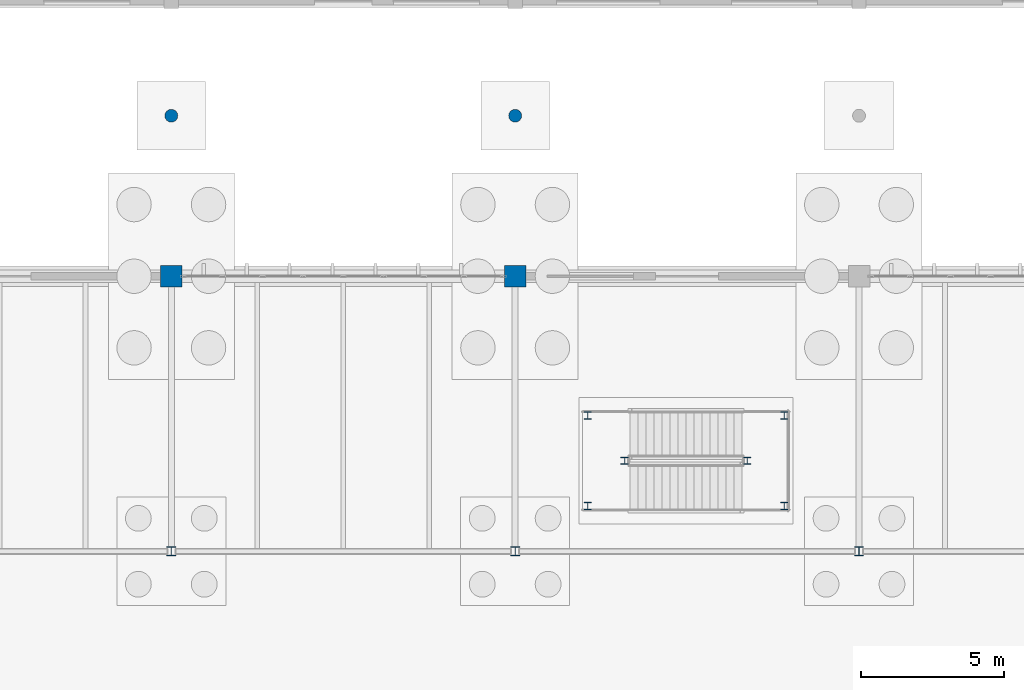
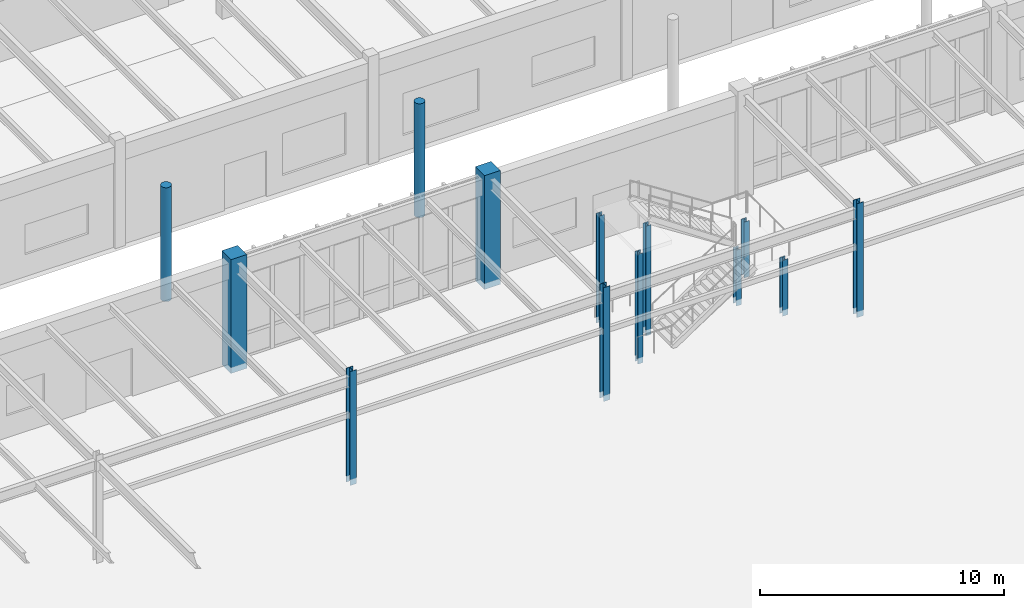
# One storey, part 14 of 188: 13 columns.
"""IFC4 building model written with IfcOpenShell, lengths in metres."""

import ifcopenshell
import ifcopenshell.guid

model = None  # the IFC model being written
_history = None  # IfcOwnerHistory: only IFC2X3 demands one
_inside = {}  # id of a spatial element -> (the spatial element, [elements in it])
_under = {}  # id of a project, library or spatial element -> (it, [spatial elements below it])
_declared = {}  # id of a project -> (the project, [libraries it declares])
_typed = {}  # id of a type object -> (the type object, [elements of that type])
_made_of = {}  # id of a material, layer set ... -> (it, [elements and type objects made of it])


def new_model(schema):
    """Start an empty IFC model of exactly this schema.

    Asked for "IFC4X3", IfcOpenShell would pick the latest addendum, in which some entities
    have other attributes; the version numbers below select the first issue.
    IFC2X3 requires an IfcOwnerHistory on every rooted entity: one is made here for all.
    """
    global model, _history
    if schema == "IFC4X3":
        model = ifcopenshell.file(schema_version=(4, 3, 0, 0))
    else:
        model = ifcopenshell.file(schema=schema)
    _inside.clear()
    _under.clear()
    _declared.clear()
    _typed.clear()
    _made_of.clear()
    _history = None
    if model.schema == "IFC2X3":
        org = make("IfcOrganization", Name="unknown")
        user = make(
            "IfcPersonAndOrganization",
            ThePerson=make("IfcPerson", FamilyName="unknown"),
            TheOrganization=org,
        )
        app = make(
            "IfcApplication",
            ApplicationDeveloper=org,
            Version="unknown",
            ApplicationFullName="unknown",
            ApplicationIdentifier="unknown",
        )
        _history = make(
            "IfcOwnerHistory",
            OwningUser=user,
            OwningApplication=app,
            ChangeAction="ADDED",
            CreationDate=0,
        )
    return model


def make(cls, **values):
    """One entity of the class cls with the attributes given. An attribute that is None is left unset."""
    return model.create_entity(
        cls, **{name: value for name, value in values.items() if value is not None}
    )


def rooted(cls, **values):
    """An entity with a GlobalId (a new one), such as an element, a storey or a relation."""
    return make(cls, GlobalId=ifcopenshell.guid.new(), OwnerHistory=_history, **values)


def si_unit(unit_type, name, prefix=None):
    """IfcSIUnit, for example si_unit("LENGTHUNIT", "METRE", prefix="MILLI")."""
    return make("IfcSIUnit", UnitType=unit_type, Prefix=prefix, Name=name)


def assignment(units):
    """IfcUnitAssignment: the units of a project."""
    return None if units is None else make("IfcUnitAssignment", Units=units)


def point(xyz):
    """IfcCartesianPoint."""
    return None if xyz is None else make("IfcCartesianPoint", Coordinates=xyz)


def direction(xyz):
    """IfcDirection."""
    return None if xyz is None else make("IfcDirection", DirectionRatios=xyz)


def frame(location, z_axis=None, x_axis=None):
    """IfcAxis2Placement3D, a coordinate frame: its origin and axes. An axis left out is left unset."""
    return make(
        "IfcAxis2Placement3D",
        Location=point(location),
        Axis=direction(z_axis),
        RefDirection=direction(x_axis),
    )


def frame_2d(location, x_axis=None):
    """IfcAxis2Placement2D, a coordinate frame in the plane: its origin and x axis."""
    return make(
        "IfcAxis2Placement2D", Location=point(location), RefDirection=direction(x_axis)
    )


def origin():
    """The frame at (0, 0, 0) with its axes left unset."""
    return frame((0.0, 0.0, 0.0))


def origin_2d():
    """The frame at (0, 0) in the plane with its x axis left unset."""
    return frame_2d((0.0, 0.0))


def place(relative_to, where):
    """IfcLocalPlacement: puts the frame where relative to a parent placement (None: the world)."""
    return make(
        "IfcLocalPlacement", PlacementRelTo=relative_to, RelativePlacement=where
    )


def context(
    kind, dimensions, precision=None, world=None, true_north=None, identifier=None
):
    """IfcGeometricRepresentationContext, for example the 3D "Model" context."""
    return make(
        "IfcGeometricRepresentationContext",
        ContextIdentifier=identifier,
        ContextType=kind,
        CoordinateSpaceDimension=dimensions,
        Precision=precision,
        WorldCoordinateSystem=world,
        TrueNorth=true_north,
    )


def subcontext(parent, identifier, kind, view, scale=None):
    """IfcGeometricRepresentationSubContext, for example "Body" below "Model"."""
    return make(
        "IfcGeometricRepresentationSubContext",
        ContextIdentifier=identifier,
        ContextType=kind,
        ParentContext=parent,
        TargetScale=scale,
        TargetView=view,
    )


def project(units=None, contexts=None):
    """IfcProject with its units and contexts."""
    return rooted(
        "IfcProject",
        Name="project",
        RepresentationContexts=contexts,
        UnitsInContext=assignment(units),
    )


def spatial(cls, under=None, at=None, **own):
    """A site, building, storey or space (cls), placed at a placement, below another one or the project."""
    s = rooted(cls, ObjectPlacement=at, **own)
    if under is not None:
        _under.setdefault(under.id(), (under, []))[1].append(s)
    return s


def profile(cls, at=None, kind="AREA", **sizes):
    """A parametric profile (cls). Its sizes go by their IFC names, for example OverallWidth=200.0."""
    return make(cls, ProfileType=kind, Position=at, **sizes)


def rectangle(**sizes):
    """IfcRectangleProfileDef."""
    return profile("IfcRectangleProfileDef", **sizes)


def circle(**sizes):
    """IfcCircleProfileDef."""
    return profile("IfcCircleProfileDef", **sizes)


def i_section(**sizes):
    """IfcIShapeProfileDef."""
    return profile("IfcIShapeProfileDef", **sizes)


def extrude(swept, where, along, depth):
    """IfcExtrudedAreaSolid: the profile swept, set in the frame where, extruded along a direction by depth."""
    return make(
        "IfcExtrudedAreaSolid",
        SweptArea=swept,
        Position=where,
        ExtrudedDirection=direction(along),
        Depth=depth,
    )


def shape(context_of_items, identifier, shape_type, items):
    """IfcShapeRepresentation: the items that make up one representation, for example the "Body"."""
    return make(
        "IfcShapeRepresentation",
        ContextOfItems=context_of_items,
        RepresentationIdentifier=identifier,
        RepresentationType=shape_type,
        Items=items,
    )


def material(Name=None, Category=None):
    """IfcMaterial."""
    return make("IfcMaterial", Name=Name, Category=Category)


def material_profile(
    of_material, cross_section, Name=None, Category=None, Priority=None
):
    """IfcMaterialProfile: a cross section and its material."""
    return make(
        "IfcMaterialProfile",
        Name=Name,
        Material=of_material,
        Profile=cross_section,
        Priority=Priority,
        Category=Category,
    )


def profile_set(profiles, Name=None, composite=None):
    """IfcMaterialProfileSet."""
    return make(
        "IfcMaterialProfileSet",
        Name=Name,
        MaterialProfiles=profiles,
        CompositeProfile=composite,
    )


def made_of(thing, what):
    """Note that an element or type object is made of a material, layer set ...; save() writes the relation."""
    if what is not None:
        _made_of.setdefault(what.id(), (what, []))[1].append(thing)
    return thing


def type_object(cls, material=None, **own):
    """A type object (cls), such as IfcWallType, which elements share."""
    return made_of(rooted(cls, **own), material)


def element(
    cls,
    number,
    at=None,
    inside=None,
    cuts=None,
    type_object=None,
    material=None,
    context=None,
    identifier="Body",
    shape_type=None,
    held_by="IfcProductDefinitionShape",
    body=None,
    shapes=None,
    **own,
):
    """One element of the class cls, such as IfcWall. Its Tag is "e" and its number.

    at: its placement. inside: the storey or other place that contains it. cuts: it is an
    opening in that element (IfcRelVoidsElement). A single representation is given by context,
    identifier, shape_type and body (its items); several are given by shapes. held_by: the class
    of the entity that holds the representations. save() writes the other relations.
    """
    e = rooted(cls, Tag="e%d" % number, ObjectPlacement=at, **own)
    if body is not None:
        shapes = [shape(context, identifier, shape_type, body)]
    if shapes is not None:
        e.Representation = make(held_by, Representations=shapes)
    if inside is not None:
        _inside.setdefault(inside.id(), (inside, []))[1].append(e)
    if cuts is not None:
        rooted(
            "IfcRelVoidsElement", RelatingBuildingElement=cuts, RelatedOpeningElement=e
        )
    if type_object is not None:
        _typed.setdefault(type_object.id(), (type_object, []))[1].append(e)
    return made_of(e, material)


def aggregate(whole, parts):
    """IfcRelAggregates: a whole, such as a stair, and the parts it consists of."""
    return rooted("IfcRelAggregates", RelatingObject=whole, RelatedObjects=parts)


def save(model, path):
    """Write the relations noted so far, then the file.

    IfcRelAggregates (storeys below a building ...), IfcRelContainedInSpatialStructure (elements
    in a storey), IfcRelDefinesByType, IfcRelAssociatesMaterial and IfcRelDeclares: one each for
    every whole, place, type object, material and project.
    """
    for whole, parts in _under.values():
        aggregate(whole, parts)
    for where, things in _inside.values():
        rooted(
            "IfcRelContainedInSpatialStructure",
            RelatedElements=things,
            RelatingStructure=where,
        )
    for kind, things in _typed.values():
        rooted("IfcRelDefinesByType", RelatedObjects=things, RelatingType=kind)
    for what, things in _made_of.values():
        rooted("IfcRelAssociatesMaterial", RelatedObjects=things, RelatingMaterial=what)
    for by, libraries in _declared.values():
        rooted("IfcRelDeclares", RelatingContext=by, RelatedDefinitions=libraries)
    model.write(path)


model = new_model("IFC4")

# Units and contexts
model_context = context("Model", 3, precision=1e-05, world=origin(), true_north=direction((0.0, 1.0)))
body_context = subcontext(model_context, "Body", "Model", "MODEL_VIEW")
ifc_project = project(units=[si_unit("LENGTHUNIT", "METRE"), si_unit("AREAUNIT", "SQUARE_METRE"), si_unit("VOLUMEUNIT", "CUBIC_METRE"), si_unit("PLANEANGLEUNIT", "RADIAN"), si_unit("MASSUNIT", "GRAM", prefix="KILO")], contexts=[model_context])

# Site, building, storey
site_placement = place(None, origin())
site = spatial("IfcSite", under=ifc_project, at=site_placement, CompositionType="ELEMENT")
building_placement = place(site_placement, origin())
building = spatial("IfcBuilding", under=site, at=building_placement, Name="Pandanus Reach Market Hall", CompositionType="ELEMENT")
storey_placement = place(building_placement, origin())
storey = spatial("IfcBuildingStorey", under=building, at=storey_placement, Name="L00", CompositionType="ELEMENT", Elevation=0.0)

# Columns
ifc_material_1 = material(Name="Concrete N50 (50 MPa)", Category="concrete")
ifc_material_profile_1 = material_profile(ifc_material_1, rectangle(XDim=0.75, YDim=0.75, at=origin_2d()), Name="RC750x750", Category="LoadBearing")
ifc_profile_set_1 = profile_set([ifc_material_profile_1], Name="Concrete N50 (50 MPa)")
column_type_1 = type_object("IfcColumnType", Name="CL-RC750-E", PredefinedType="COLUMN", material=ifc_profile_set_1)
for number, where, z_axis, x_axis, name in (
    (1, (72.0, 86.39990234375, -0.300048828125), (0.0, 0.0, 1.0), (1.0, 0.0, 0.0), "Column CL-RC750-E V1A-72-864 L00"),
    (2, (84.0, 86.39990234375, -0.300048828125), (0.0, 0.0, 1.0), (1.0, 0.0, 0.0), "Column CL-RC750-E V1A-84-864 L00"),
):
    element("IfcColumn", number, at=place(storey_placement, frame(where, z_axis=z_axis, x_axis=x_axis)), inside=storey, type_object=column_type_1, Name=name, PredefinedType="COLUMN", context=body_context, shape_type="SweptSolid", body=[
        extrude(rectangle(XDim=0.75, YDim=0.75, at=origin_2d()), origin(), (0.0, 0.0, 1.0), 5.699951171875),
    ])
ifc_material_2 = material(Name="Steel Grade 350 (350 MPa)", Category="steel")
ifc_material_profile_2 = material_profile(ifc_material_2, i_section(OverallWidth=0.25390625, OverallDepth=0.25390625, WebThickness=0.008544921875, FlangeThickness=0.01416015625, at=origin_2d()), Name="250UC72.9", Category="LoadBearing")
ifc_profile_set_2 = profile_set([ifc_material_profile_2], Name="Steel Grade 350 (350 MPa)")
column_type_2 = type_object("IfcColumnType", Name="CL-UC250-I", PredefinedType="COLUMN", material=ifc_profile_set_2)
for number, where, z_axis, x_axis, name in (
    (3, (93.389892578125, 78.3798828125, -0.300048828125), (0.0, 0.0, 1.0), (1.0, 0.0, 0.0), "Feature stair landing post ST-09.L00.1"),
    (4, (93.389892578125, 81.5400390625, -0.300048828125), (0.0, 0.0, 1.0), (1.0, 0.0, 0.0), "Feature stair landing post ST-09.L00.2"),
    (5, (92.10009765625, 79.9599609375, -0.300048828125), (0.0, 0.0, 1.0), (1.0, 0.0, 0.0), "Feature stair landing post ST-09.L00.3"),
):
    element("IfcColumn", number, at=place(storey_placement, frame(where, z_axis=z_axis, x_axis=x_axis)), inside=storey, type_object=column_type_2, Name=name, PredefinedType="COLUMN", context=body_context, shape_type="SweptSolid", body=[
        extrude(i_section(OverallWidth=0.25390625, OverallDepth=0.25390625, WebThickness=0.008544921875, FlangeThickness=0.01416015625, at=origin_2d()), origin(), (0.0, 0.0, 1.0), 2.800048828125),
    ])
for number, where, z_axis, x_axis, name in (
    (6, (86.530029296875, 78.3798828125, -0.300048828125), (0.0, 0.0, 1.0), (1.0, 0.0, 0.0), "Feature stair landing post ST-09.L00.4"),
    (7, (86.530029296875, 81.5400390625, -0.300048828125), (0.0, 0.0, 1.0), (1.0, 0.0, 0.0), "Feature stair landing post ST-09.L00.5"),
    (8, (87.820068359375, 79.9599609375, -0.300048828125), (0.0, 0.0, 1.0), (1.0, 0.0, 0.0), "Feature stair landing post ST-09.L00.6"),
):
    element("IfcColumn", number, at=place(storey_placement, frame(where, z_axis=z_axis, x_axis=x_axis)), inside=storey, type_object=column_type_2, Name=name, PredefinedType="COLUMN", context=body_context, shape_type="SweptSolid", body=[
        extrude(i_section(OverallWidth=0.25390625, OverallDepth=0.25390625, WebThickness=0.008544921875, FlangeThickness=0.01416015625, at=origin_2d()), origin(), (0.0, 0.0, 1.0), 5.5),
    ])
ifc_material_profile_3 = material_profile(ifc_material_2, i_section(OverallWidth=0.306884765625, OverallDepth=0.31494140625, WebThickness=0.011962890625, FlangeThickness=0.018798828125, at=origin_2d()), Name="310UC118", Category="LoadBearing")
ifc_profile_set_3 = profile_set([ifc_material_profile_3], Name="Steel Grade 350 (350 MPa)")
column_type_3 = type_object("IfcColumnType", Name="CL-UC310-I", PredefinedType="COLUMN", material=ifc_profile_set_3)
for number, where, z_axis, x_axis, name in (
    (9, (72.0, 76.800048828125, -0.300048828125), (0.0, 0.0, 1.0), (1.0, 0.0, 0.0), "Column CL-UC310-I V1M-72-768 L00"),
    (10, (84.0, 76.800048828125, -0.300048828125), (0.0, 0.0, 1.0), (1.0, 0.0, 0.0), "Column CL-UC310-I V1M-84-768 L00"),
    (11, (96.0, 76.800048828125, -0.300048828125), (0.0, 0.0, 1.0), (1.0, 0.0, 0.0), "Column CL-UC310-I V1M-96-768 L00"),
):
    element("IfcColumn", number, at=place(storey_placement, frame(where, z_axis=z_axis, x_axis=x_axis)), inside=storey, type_object=column_type_3, Name=name, PredefinedType="COLUMN", context=body_context, shape_type="SweptSolid", body=[
        extrude(i_section(OverallWidth=0.306884765625, OverallDepth=0.31494140625, WebThickness=0.011962890625, FlangeThickness=0.018798828125, at=origin_2d()), origin(), (0.0, 0.0, 1.0), 5.699951171875),
    ])
ifc_material_3 = material(Name="Precast concrete S50 (50 MPa)", Category="concrete")
ifc_material_profile_4 = material_profile(ifc_material_3, circle(Radius=0.22509765625, at=origin_2d()), Name="RC450D", Category="LoadBearing")
ifc_profile_set_4 = profile_set([ifc_material_profile_4], Name="Precast concrete S50 (50 MPa)")
column_type_4 = type_object("IfcColumnType", Name="PL-RC450-E", PredefinedType="PILASTER", material=ifc_profile_set_4)
for number, where, z_axis, x_axis, name in (
    (12, (72.0, 92.0, -0.300048828125), (0.0, 0.0, 1.0), (1.0, 0.0, 0.0), "Arcade pilaster P11"),
    (13, (84.0, 92.0, -0.300048828125), (0.0, 0.0, 1.0), (1.0, 0.0, 0.0), "Arcade pilaster P12"),
):
    element("IfcColumn", number, at=place(storey_placement, frame(where, z_axis=z_axis, x_axis=x_axis)), inside=storey, type_object=column_type_4, Name=name, PredefinedType="PILASTER", context=body_context, shape_type="SweptSolid", body=[
        extrude(circle(Radius=0.22509765625, at=origin_2d()), origin(), (0.0, 0.0, 1.0), 5.699951171875),
    ])

save(model, "model.ifc")
